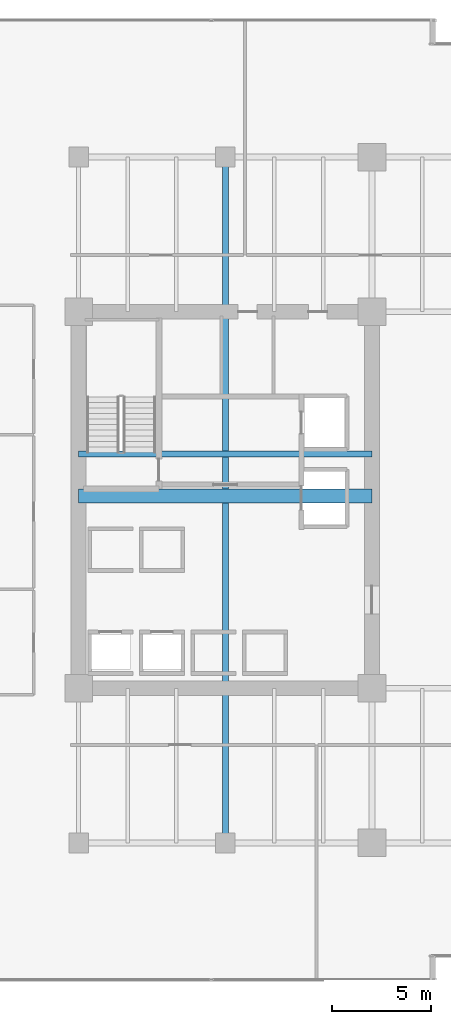
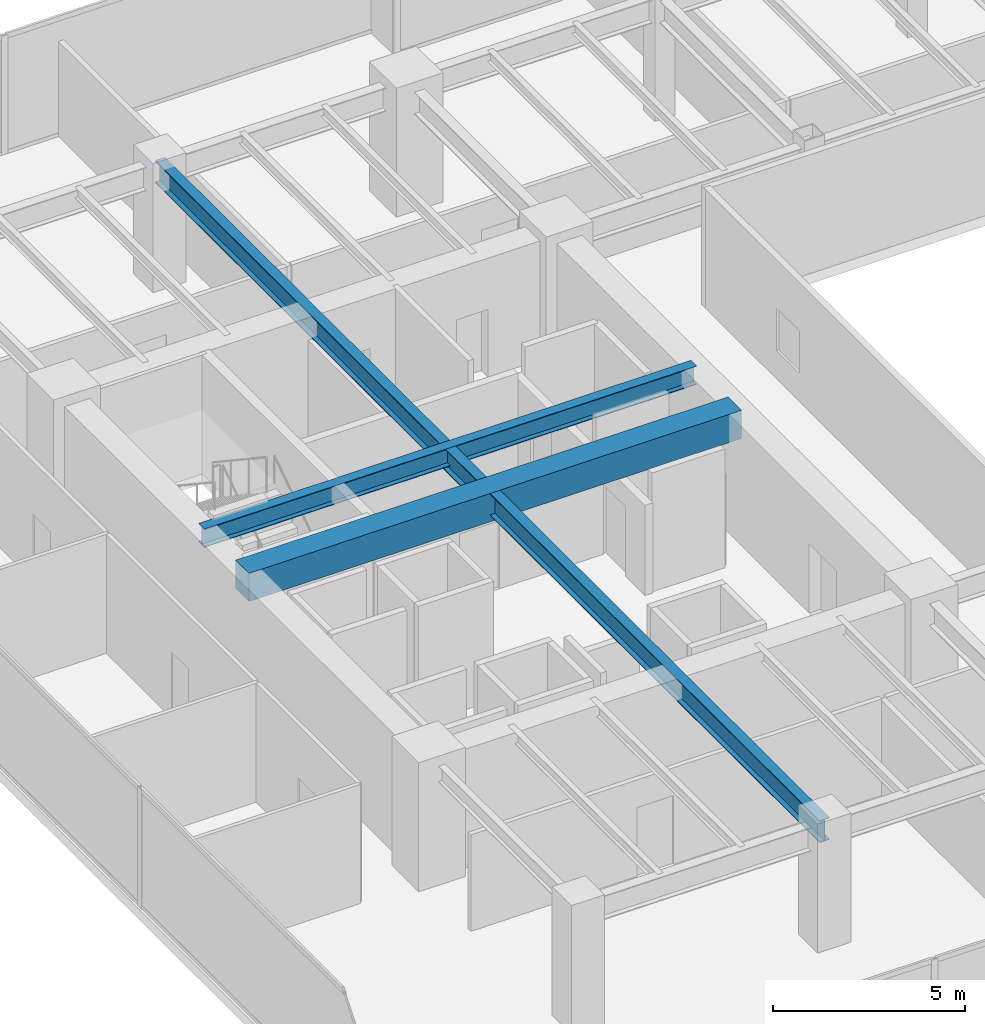
# One storey, part 7 of 35: 3 beams.
"""IFC4 building model written with IfcOpenShell, lengths in metres."""

from ifc_helpers import new_model, si_unit, direction, frame, origin, origin_2d, place, context, subcontext, project, spatial, rectangle, i_section, extrude, source, transform, mapped, material, material_profile, profile_set, type_object, type_shapes, element, save


model = new_model("IFC4")

# Units and contexts
model_context = context("Model", 3, precision=1e-05, world=origin(), true_north=direction((0.0, 1.0)))
body_context = subcontext(model_context, "Body", "Model", "MODEL_VIEW")
ifc_project = project(units=[si_unit("LENGTHUNIT", "METRE"), si_unit("AREAUNIT", "SQUARE_METRE"), si_unit("VOLUMEUNIT", "CUBIC_METRE"), si_unit("PLANEANGLEUNIT", "RADIAN"), si_unit("MASSUNIT", "GRAM", prefix="KILO")], contexts=[model_context])

# Site, building, storey
site_placement = place(None, origin())
site = spatial("IfcSite", under=ifc_project, at=site_placement, CompositionType="ELEMENT")
building_placement = place(site_placement, origin())
building = spatial("IfcBuilding", under=site, at=building_placement, Name="Haelvirn Gate Laboratories", CompositionType="ELEMENT")
storey_placement = place(building_placement, frame((0.0, 0.0, 37.5)))
storey = spatial("IfcBuildingStorey", under=building, at=storey_placement, Name="L09", CompositionType="ELEMENT", Elevation=37.5)

# Beams
ifc_material_1 = material(Name="Concrete C60/75", Category="concrete")
ifc_material_profile_1 = material_profile(ifc_material_1, rectangle(XDim=0.699951171875, YDim=0.89990234375, at=origin_2d()), Name="RCB-700x900")
ifc_profile_set_1 = profile_set([ifc_material_profile_1], Name="Concrete C60/75")
beam_type_1 = type_object("IfcBeamType", Name="BM-RCB-900", PredefinedType="LINTEL", material=ifc_profile_set_1)
shared_shape_1 = source(origin(), body_context, "Body", "SweptSolid", [
    extrude(rectangle(XDim=0.699951171875, YDim=0.89990234375, at=origin_2d()), origin(), (0.0, 0.0, 1.0), 14.800048828125),
])
type_shapes(beam_type_1, [shared_shape_1])
beam_1_placement = place(storey_placement, frame((7.39990234375, 24.5, 3.330078125), z_axis=(1.0, 0.0, 0.0), x_axis=(0.0, 1.0, 0.0)))
element("IfcBeam", 1, at=beam_1_placement, inside=storey, type_object=beam_type_1, Name="L09 West Core Coupling Beam", PredefinedType="LINTEL", context=body_context, shape_type="MappedRepresentation", body=[
    mapped(shared_shape_1, transform((0.0, 0.0, 0.0), scale=1.0)),
])
ifc_material_2 = material(Name="Steel SM355", Category="steel")
ifc_material_profile_2 = material_profile(ifc_material_2, i_section(OverallWidth=0.300048828125, OverallDepth=0.587890625, WebThickness=0.011962890625, FlangeThickness=0.02001953125, at=origin_2d()), Name="H-588x300x12x20")
ifc_profile_set_2 = profile_set([ifc_material_profile_2], Name="Steel SM355")
beam_type_2 = type_object("IfcBeamType", Name="BM-G-588", PredefinedType="BEAM", material=ifc_profile_set_2)
shared_shape_2 = source(origin(), body_context, "Body", "SweptSolid", [
    extrude(i_section(OverallWidth=0.300048828125, OverallDepth=0.587890625, WebThickness=0.011962890625, FlangeThickness=0.02001953125, at=origin_2d()), origin(), (0.0, 0.0, 1.0), 14.800048828125),
])
type_shapes(beam_type_2, [shared_shape_2])
beam_2_placement = place(storey_placement, frame((7.39990234375, 26.6201171875, 3.486083984375), z_axis=(1.0, 0.0, 0.0), x_axis=(0.0, 1.0, 0.0)))
element("IfcBeam", 2, at=beam_2_placement, inside=storey, type_object=beam_type_2, Name="L09 Stair ST1 Landing Header", PredefinedType="BEAM", context=body_context, shape_type="MappedRepresentation", body=[
    mapped(shared_shape_2, transform((0.0, 0.0, 0.0), scale=1.0)),
])
ifc_material_profile_3 = material_profile(ifc_material_2, i_section(OverallWidth=0.300048828125, OverallDepth=0.699951171875, WebThickness=0.012939453125, FlangeThickness=0.02392578125, at=origin_2d()), Name="H-700x300x13x24")
ifc_profile_set_3 = profile_set([ifc_material_profile_3], Name="Steel SM355")
beam_type_3 = type_object("IfcBeamType", Name="BM-G-700", PredefinedType="BEAM", material=ifc_profile_set_3)
shared_shape_3 = source(origin(), body_context, "Body", "SweptSolid", [
    extrude(i_section(OverallWidth=0.300048828125, OverallDepth=0.699951171875, WebThickness=0.012939453125, FlangeThickness=0.02392578125, at=origin_2d()), origin(), (0.0, 0.0, 1.0), 34.60009765625),
])
type_shapes(beam_type_3, [shared_shape_3])
beam_3_placement = place(storey_placement, frame((14.800048828125, 7.0, 3.429931640625), z_axis=(0.0, 1.0, 0.0), x_axis=(-1.0, 0.0, 0.0)))
element("IfcBeam", 3, at=beam_3_placement, inside=storey, type_object=beam_type_3, Name="L09 Frame Girder X14.8 (7.0-41.6)", PredefinedType="BEAM", context=body_context, shape_type="MappedRepresentation", body=[
    mapped(shared_shape_3, transform((0.0, 0.0, 0.0), scale=1.0)),
])

save(model, "model.ifc")
